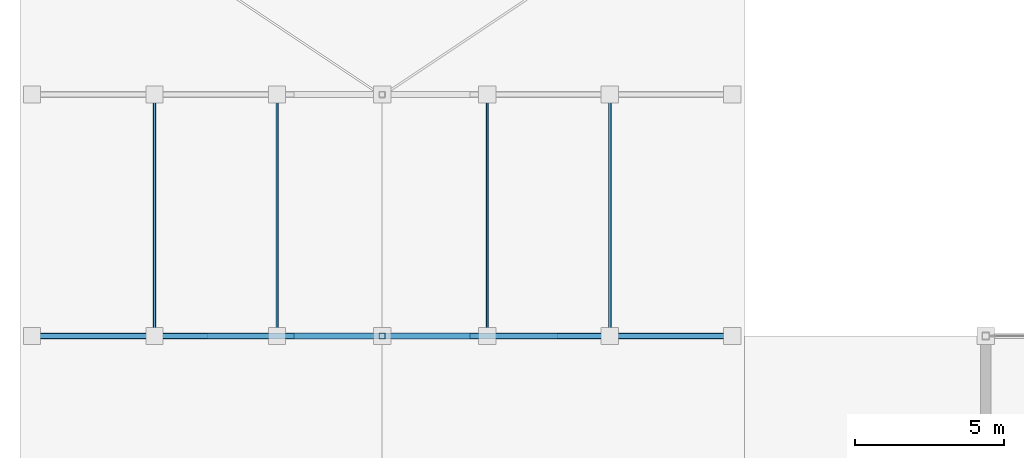
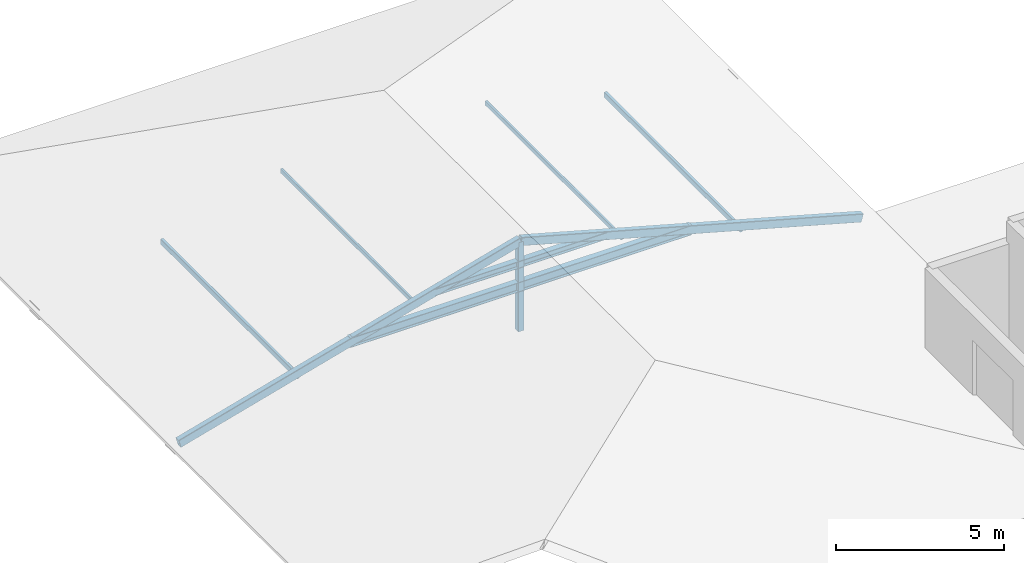
# One storey, part 24 of 54: 9 members.
"""IFC4 building model written with IfcOpenShell, lengths in metres."""

import ifcopenshell
import ifcopenshell.guid

model = None  # the IFC model being written
_history = None  # IfcOwnerHistory: only IFC2X3 demands one
_inside = {}  # id of a spatial element -> (the spatial element, [elements in it])
_under = {}  # id of a project, library or spatial element -> (it, [spatial elements below it])
_declared = {}  # id of a project -> (the project, [libraries it declares])
_typed = {}  # id of a type object -> (the type object, [elements of that type])
_made_of = {}  # id of a material, layer set ... -> (it, [elements and type objects made of it])


def new_model(schema):
    """Start an empty IFC model of exactly this schema.

    Asked for "IFC4X3", IfcOpenShell would pick the latest addendum, in which some entities
    have other attributes; the version numbers below select the first issue.
    IFC2X3 requires an IfcOwnerHistory on every rooted entity: one is made here for all.
    """
    global model, _history
    if schema == "IFC4X3":
        model = ifcopenshell.file(schema_version=(4, 3, 0, 0))
    else:
        model = ifcopenshell.file(schema=schema)
    _inside.clear()
    _under.clear()
    _declared.clear()
    _typed.clear()
    _made_of.clear()
    _history = None
    if model.schema == "IFC2X3":
        org = make("IfcOrganization", Name="unknown")
        user = make(
            "IfcPersonAndOrganization",
            ThePerson=make("IfcPerson", FamilyName="unknown"),
            TheOrganization=org,
        )
        app = make(
            "IfcApplication",
            ApplicationDeveloper=org,
            Version="unknown",
            ApplicationFullName="unknown",
            ApplicationIdentifier="unknown",
        )
        _history = make(
            "IfcOwnerHistory",
            OwningUser=user,
            OwningApplication=app,
            ChangeAction="ADDED",
            CreationDate=0,
        )
    return model


def make(cls, **values):
    """One entity of the class cls with the attributes given. An attribute that is None is left unset."""
    return model.create_entity(
        cls, **{name: value for name, value in values.items() if value is not None}
    )


def rooted(cls, **values):
    """An entity with a GlobalId (a new one), such as an element, a storey or a relation."""
    return make(cls, GlobalId=ifcopenshell.guid.new(), OwnerHistory=_history, **values)


def si_unit(unit_type, name, prefix=None):
    """IfcSIUnit, for example si_unit("LENGTHUNIT", "METRE", prefix="MILLI")."""
    return make("IfcSIUnit", UnitType=unit_type, Prefix=prefix, Name=name)


def assignment(units):
    """IfcUnitAssignment: the units of a project."""
    return None if units is None else make("IfcUnitAssignment", Units=units)


def point(xyz):
    """IfcCartesianPoint."""
    return None if xyz is None else make("IfcCartesianPoint", Coordinates=xyz)


def direction(xyz):
    """IfcDirection."""
    return None if xyz is None else make("IfcDirection", DirectionRatios=xyz)


def frame(location, z_axis=None, x_axis=None):
    """IfcAxis2Placement3D, a coordinate frame: its origin and axes. An axis left out is left unset."""
    return make(
        "IfcAxis2Placement3D",
        Location=point(location),
        Axis=direction(z_axis),
        RefDirection=direction(x_axis),
    )


def frame_2d(location, x_axis=None):
    """IfcAxis2Placement2D, a coordinate frame in the plane: its origin and x axis."""
    return make(
        "IfcAxis2Placement2D", Location=point(location), RefDirection=direction(x_axis)
    )


def origin():
    """The frame at (0, 0, 0) with its axes left unset."""
    return frame((0.0, 0.0, 0.0))


def origin_2d():
    """The frame at (0, 0) in the plane with its x axis left unset."""
    return frame_2d((0.0, 0.0))


def place(relative_to, where):
    """IfcLocalPlacement: puts the frame where relative to a parent placement (None: the world)."""
    return make(
        "IfcLocalPlacement", PlacementRelTo=relative_to, RelativePlacement=where
    )


def context(
    kind, dimensions, precision=None, world=None, true_north=None, identifier=None
):
    """IfcGeometricRepresentationContext, for example the 3D "Model" context."""
    return make(
        "IfcGeometricRepresentationContext",
        ContextIdentifier=identifier,
        ContextType=kind,
        CoordinateSpaceDimension=dimensions,
        Precision=precision,
        WorldCoordinateSystem=world,
        TrueNorth=true_north,
    )


def subcontext(parent, identifier, kind, view, scale=None):
    """IfcGeometricRepresentationSubContext, for example "Body" below "Model"."""
    return make(
        "IfcGeometricRepresentationSubContext",
        ContextIdentifier=identifier,
        ContextType=kind,
        ParentContext=parent,
        TargetScale=scale,
        TargetView=view,
    )


def project(units=None, contexts=None):
    """IfcProject with its units and contexts."""
    return rooted(
        "IfcProject",
        Name="project",
        RepresentationContexts=contexts,
        UnitsInContext=assignment(units),
    )


def spatial(cls, under=None, at=None, **own):
    """A site, building, storey or space (cls), placed at a placement, below another one or the project."""
    s = rooted(cls, ObjectPlacement=at, **own)
    if under is not None:
        _under.setdefault(under.id(), (under, []))[1].append(s)
    return s


def profile(cls, at=None, kind="AREA", **sizes):
    """A parametric profile (cls). Its sizes go by their IFC names, for example OverallWidth=200.0."""
    return make(cls, ProfileType=kind, Position=at, **sizes)


def hollow_rectangle(**sizes):
    """IfcRectangleHollowProfileDef."""
    return profile("IfcRectangleHollowProfileDef", **sizes)


def i_section(**sizes):
    """IfcIShapeProfileDef."""
    return profile("IfcIShapeProfileDef", **sizes)


def extrude(swept, where, along, depth):
    """IfcExtrudedAreaSolid: the profile swept, set in the frame where, extruded along a direction by depth."""
    return make(
        "IfcExtrudedAreaSolid",
        SweptArea=swept,
        Position=where,
        ExtrudedDirection=direction(along),
        Depth=depth,
    )


def shape(context_of_items, identifier, shape_type, items):
    """IfcShapeRepresentation: the items that make up one representation, for example the "Body"."""
    return make(
        "IfcShapeRepresentation",
        ContextOfItems=context_of_items,
        RepresentationIdentifier=identifier,
        RepresentationType=shape_type,
        Items=items,
    )


def material(Name=None, Category=None):
    """IfcMaterial."""
    return make("IfcMaterial", Name=Name, Category=Category)


def material_profile(
    of_material, cross_section, Name=None, Category=None, Priority=None
):
    """IfcMaterialProfile: a cross section and its material."""
    return make(
        "IfcMaterialProfile",
        Name=Name,
        Material=of_material,
        Profile=cross_section,
        Priority=Priority,
        Category=Category,
    )


def profile_set(profiles, Name=None, composite=None):
    """IfcMaterialProfileSet."""
    return make(
        "IfcMaterialProfileSet",
        Name=Name,
        MaterialProfiles=profiles,
        CompositeProfile=composite,
    )


def made_of(thing, what):
    """Note that an element or type object is made of a material, layer set ...; save() writes the relation."""
    if what is not None:
        _made_of.setdefault(what.id(), (what, []))[1].append(thing)
    return thing


def type_object(cls, material=None, **own):
    """A type object (cls), such as IfcWallType, which elements share."""
    return made_of(rooted(cls, **own), material)


def element(
    cls,
    number,
    at=None,
    inside=None,
    cuts=None,
    type_object=None,
    material=None,
    context=None,
    identifier="Body",
    shape_type=None,
    held_by="IfcProductDefinitionShape",
    body=None,
    shapes=None,
    **own,
):
    """One element of the class cls, such as IfcWall. Its Tag is "e" and its number.

    at: its placement. inside: the storey or other place that contains it. cuts: it is an
    opening in that element (IfcRelVoidsElement). A single representation is given by context,
    identifier, shape_type and body (its items); several are given by shapes. held_by: the class
    of the entity that holds the representations. save() writes the other relations.
    """
    e = rooted(cls, Tag="e%d" % number, ObjectPlacement=at, **own)
    if body is not None:
        shapes = [shape(context, identifier, shape_type, body)]
    if shapes is not None:
        e.Representation = make(held_by, Representations=shapes)
    if inside is not None:
        _inside.setdefault(inside.id(), (inside, []))[1].append(e)
    if cuts is not None:
        rooted(
            "IfcRelVoidsElement", RelatingBuildingElement=cuts, RelatedOpeningElement=e
        )
    if type_object is not None:
        _typed.setdefault(type_object.id(), (type_object, []))[1].append(e)
    return made_of(e, material)


def aggregate(whole, parts):
    """IfcRelAggregates: a whole, such as a stair, and the parts it consists of."""
    return rooted("IfcRelAggregates", RelatingObject=whole, RelatedObjects=parts)


def save(model, path):
    """Write the relations noted so far, then the file.

    IfcRelAggregates (storeys below a building ...), IfcRelContainedInSpatialStructure (elements
    in a storey), IfcRelDefinesByType, IfcRelAssociatesMaterial and IfcRelDeclares: one each for
    every whole, place, type object, material and project.
    """
    for whole, parts in _under.values():
        aggregate(whole, parts)
    for where, things in _inside.values():
        rooted(
            "IfcRelContainedInSpatialStructure",
            RelatedElements=things,
            RelatingStructure=where,
        )
    for kind, things in _typed.values():
        rooted("IfcRelDefinesByType", RelatedObjects=things, RelatingType=kind)
    for what, things in _made_of.values():
        rooted("IfcRelAssociatesMaterial", RelatedObjects=things, RelatingMaterial=what)
    for by, libraries in _declared.values():
        rooted("IfcRelDeclares", RelatingContext=by, RelatedDefinitions=libraries)
    model.write(path)


model = new_model("IFC4")

# Units and contexts
model_context = context("Model", 3, precision=1e-05, world=origin(), true_north=direction((0.0, 1.0)))
body_context = subcontext(model_context, "Body", "Model", "MODEL_VIEW")
ifc_project = project(units=[si_unit("LENGTHUNIT", "METRE"), si_unit("AREAUNIT", "SQUARE_METRE"), si_unit("VOLUMEUNIT", "CUBIC_METRE"), si_unit("PLANEANGLEUNIT", "RADIAN"), si_unit("MASSUNIT", "GRAM", prefix="KILO")], contexts=[model_context])

# Site, building, storey
site_placement = place(None, origin())
site = spatial("IfcSite", under=ifc_project, at=site_placement, CompositionType="ELEMENT")
building_placement = place(site_placement, origin())
building = spatial("IfcBuilding", under=site, at=building_placement, Name="Parian Resonance Hall", CompositionType="ELEMENT")
storey_placement = place(building_placement, frame((0.0, 0.0, 15.0)))
storey = spatial("IfcBuildingStorey", under=building, at=storey_placement, Name="L03", CompositionType="ELEMENT", Elevation=15.0)

# Members
ifc_material_1 = material(Name="Hollow structural steel S355", Category="steel")
ifc_material_profile_1 = material_profile(ifc_material_1, hollow_rectangle(XDim=0.080078125, YDim=0.159912109375, WallThickness=0.00634765625, InnerFilletRadius=0.00634765625, OuterFilletRadius=0.0126953125, at=origin_2d()), Name="RHS160x80x6.3")
ifc_profile_set_1 = profile_set([ifc_material_profile_1], Name="Hollow structural steel S355")
member_type_1 = type_object("IfcMemberType", Name="MEM-RHS160", PredefinedType="PURLIN", material=ifc_profile_set_1)
for number, where, z_axis, x_axis, name in (
    (1, (8.625, 89.10009765625, 2.114990234375), (0.0, 1.0, 0.0), (-1.0, 0.0, 0.0), "Chamber roof purlin W2.1"),
    (2, (15.675048828125, 89.10009765625, 2.114990234375), (0.0, 1.0, 0.0), (-1.0, 0.0, 0.0), "Chamber roof purlin E2.1"),
):
    element("IfcMember", number, at=place(storey_placement, frame(where, z_axis=z_axis, x_axis=x_axis)), inside=storey, type_object=member_type_1, Name=name, PredefinedType="PURLIN", context=body_context, shape_type="SweptSolid", body=[
        extrude(hollow_rectangle(XDim=0.080078125, YDim=0.159912109375, WallThickness=0.00634765625, InnerFilletRadius=0.00634765625, OuterFilletRadius=0.0126953125, at=origin_2d()), origin(), (0.0, 0.0, 1.0), 8.099853515625),
    ])
ifc_material_2 = material(Name="Hollow structural steel S355", Category="steel")
ifc_material_profile_2 = material_profile(ifc_material_2, hollow_rectangle(XDim=0.10009765625, YDim=0.199951171875, WallThickness=0.008056640625, InnerFilletRadius=0.008056640625, OuterFilletRadius=0.01611328125, at=origin_2d()), Name="RHS200x100x8")
ifc_profile_set_2 = profile_set([ifc_material_profile_2], Name="Hollow structural steel S355")
member_type_2 = type_object("IfcMemberType", Name="MEM-RHS200", PredefinedType="PURLIN", material=ifc_profile_set_2)
for number, where, z_axis, x_axis, name in (
    (3, (4.512451171875, 89.10009765625, 0.9775390625), (0.0, 1.0, 0.0), (-1.0, 0.0, 0.0), "Chamber roof purlin W1.1"),
    (4, (19.78759765625, 89.10009765625, 0.9775390625), (0.0, 1.0, 0.0), (-1.0, 0.0, 0.0), "Chamber roof purlin E1.1"),
):
    element("IfcMember", number, at=place(storey_placement, frame(where, z_axis=z_axis, x_axis=x_axis)), inside=storey, type_object=member_type_2, Name=name, PredefinedType="PURLIN", context=body_context, shape_type="SweptSolid", body=[
        extrude(hollow_rectangle(XDim=0.10009765625, YDim=0.199951171875, WallThickness=0.008056640625, InnerFilletRadius=0.008056640625, OuterFilletRadius=0.01611328125, at=origin_2d()), origin(), (0.0, 0.0, 1.0), 8.099853515625),
    ])
ifc_material_3 = material(Name="Hollow structural steel S355", Category="steel")
ifc_material_profile_3 = material_profile(ifc_material_3, hollow_rectangle(XDim=0.199951171875, YDim=0.300048828125, WallThickness=0.012451171875, InnerFilletRadius=0.012451171875, OuterFilletRadius=0.02490234375, at=origin_2d()), Name="RHS300x200x12.5")
ifc_profile_set_3 = profile_set([ifc_material_profile_3], Name="Hollow structural steel S355")
member_type_3 = type_object("IfcMemberType", Name="MEM-RHS300", PredefinedType="RAFTER", material=ifc_profile_set_3)
for number, where, z_axis, x_axis, name in (
    (5, (0.39990234375, 89.10009765625, 0.0), (0.963811120254, 0.0, 0.266586054538), (0.0, 1.0, 0.0), "Chamber roof west rafter 1"),
    (6, (23.89990234375, 89.10009765625, 0.0), (-0.963811120254, 0.0, 0.266586054538), (0.0, -1.0, 0.0), "Chamber roof east rafter 1"),
):
    element("IfcMember", number, at=place(storey_placement, frame(where, z_axis=z_axis, x_axis=x_axis)), inside=storey, type_object=member_type_3, Name=name, PredefinedType="RAFTER", context=body_context, shape_type="SweptSolid", body=[
        extrude(hollow_rectangle(XDim=0.199951171875, YDim=0.300048828125, WallThickness=0.012451171875, InnerFilletRadius=0.012451171875, OuterFilletRadius=0.02490234375, at=origin_2d()), origin(), (0.0, 0.0, 1.0), 12.191162109375),
    ])
ifc_material_4 = material(Name="Hollow structural steel S355", Category="steel")
ifc_material_profile_4 = material_profile(ifc_material_4, hollow_rectangle(XDim=0.199951171875, YDim=0.199951171875, WallThickness=0.010009765625, InnerFilletRadius=0.010009765625, OuterFilletRadius=0.02001953125, at=origin_2d()), Name="SHS200x200x10")
ifc_profile_set_4 = profile_set([ifc_material_profile_4], Name="Hollow structural steel S355")
member_type_4 = type_object("IfcMemberType", Name="MEM-SHS200", PredefinedType="POST", material=ifc_profile_set_4)
member_1_placement = place(storey_placement, frame((12.14990234375, 89.10009765625, 0.0), z_axis=(0.0, 0.0, 1.0), x_axis=(1.0, 0.0, 0.0)))
element("IfcMember", 7, at=member_1_placement, inside=storey, type_object=member_type_4, Name="Chamber roof king post 1", PredefinedType="POST", context=body_context, shape_type="SweptSolid", body=[
    extrude(hollow_rectangle(XDim=0.199951171875, YDim=0.199951171875, WallThickness=0.010009765625, InnerFilletRadius=0.010009765625, OuterFilletRadius=0.02001953125, at=origin_2d()), origin(), (0.0, 0.0, 1.0), 3.25),
])
ifc_material_5 = material(Name="Steel S355", Category="steel")
ifc_material_profile_5 = material_profile(ifc_material_5, i_section(OverallWidth=0.202880859375, OverallDepth=0.251953125, WebThickness=0.008056640625, FlangeThickness=0.013427734375, FilletRadius=0.0126953125, at=origin_2d()), Name="W250x58")
ifc_profile_set_5 = profile_set([ifc_material_profile_5], Name="Steel S355")
member_type_5 = type_object("IfcMemberType", Name="MEM-W250-CHORD", PredefinedType="CHORD", material=ifc_profile_set_5)
member_2_placement = place(storey_placement, frame((9.199951171875, 89.10009765625, 2.43994140625), z_axis=(1.0, 0.0, 0.0), x_axis=(0.0, 1.0, 0.0)))
element("IfcMember", 8, at=member_2_placement, inside=storey, type_object=member_type_5, Name="Chamber roof upper collar chord 1", PredefinedType="CHORD", context=body_context, shape_type="SweptSolid", body=[
    extrude(i_section(OverallWidth=0.202880859375, OverallDepth=0.251953125, WebThickness=0.008056640625, FlangeThickness=0.013427734375, FilletRadius=0.0126953125, at=origin_2d()), origin(), (0.0, 0.0, 1.0), 5.900146484375),
])
ifc_material_6 = material(Name="Steel S355", Category="steel")
ifc_material_profile_6 = material_profile(ifc_material_6, i_section(OverallWidth=0.2041015625, OverallDepth=0.35009765625, WebThickness=0.008544921875, FlangeThickness=0.01513671875, FilletRadius=0.01513671875, at=origin_2d()), Name="W360x72")
ifc_profile_set_6 = profile_set([ifc_material_profile_6], Name="Steel S355")
member_type_6 = type_object("IfcMemberType", Name="MEM-W360-CHORD", PredefinedType="CHORD", material=ifc_profile_set_6)
member_3_placement = place(storey_placement, frame((6.27490234375, 89.10009765625, 1.625), z_axis=(1.0, 0.0, 0.0), x_axis=(0.0, 1.0, 0.0)))
element("IfcMember", 9, at=member_3_placement, inside=storey, type_object=member_type_6, Name="Chamber roof collar chord 1", PredefinedType="CHORD", context=body_context, shape_type="SweptSolid", body=[
    extrude(i_section(OverallWidth=0.2041015625, OverallDepth=0.35009765625, WebThickness=0.008544921875, FlangeThickness=0.01513671875, FilletRadius=0.01513671875, at=origin_2d()), origin(), (0.0, 0.0, 1.0), 11.75),
])

save(model, "model.ifc")
